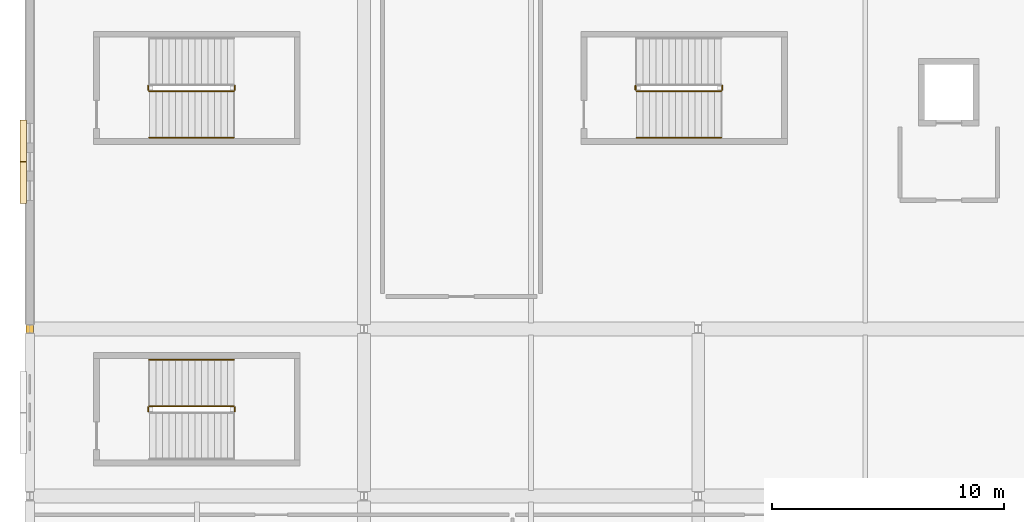
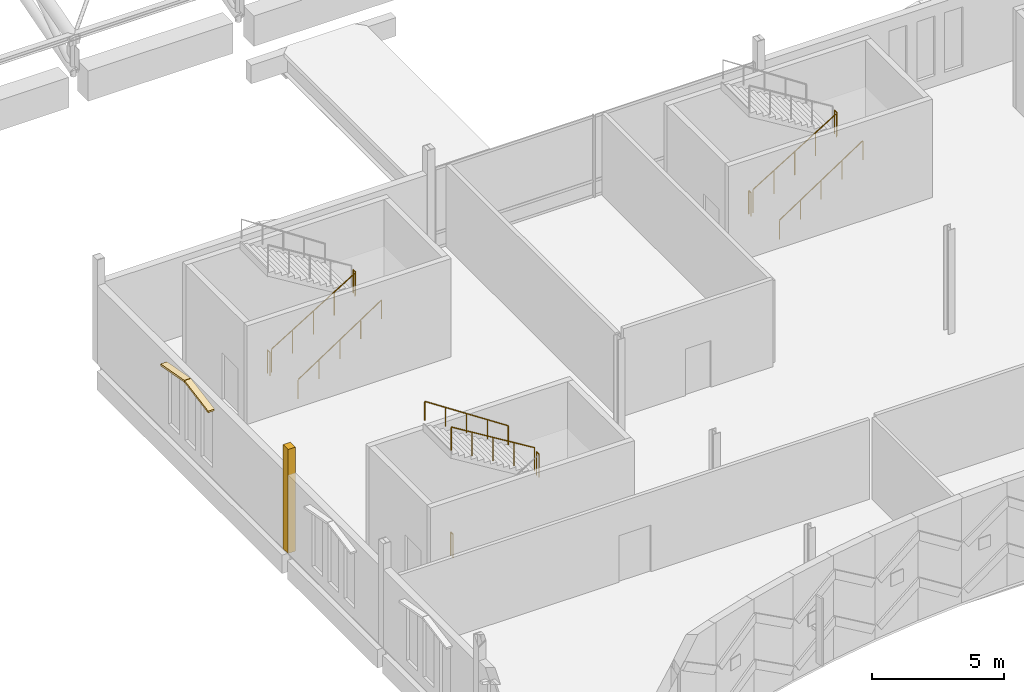
# One storey, part 172 of 193: 12 railings, 3 coverings.
"""IFC4 building model written with IfcOpenShell, lengths in metres."""

from ifc_helpers import new_model, si_unit, direction, frame, origin, origin_2d, place, context, subcontext, project, spatial, polyline, circle, outline, extrude, material, layer, layer_set, type_object, element, save


model = new_model("IFC4")

# Units and contexts
model_context = context("Model", 3, precision=1e-05, world=origin(), true_north=direction((0.0, 1.0)))
body_context = subcontext(model_context, "Body", "Model", "MODEL_VIEW")
ifc_project = project(units=[si_unit("LENGTHUNIT", "METRE"), si_unit("AREAUNIT", "SQUARE_METRE"), si_unit("VOLUMEUNIT", "CUBIC_METRE"), si_unit("PLANEANGLEUNIT", "RADIAN"), si_unit("MASSUNIT", "GRAM", prefix="KILO")], contexts=[model_context])

# Site, building, storey
site_placement = place(None, origin())
site = spatial("IfcSite", under=ifc_project, at=site_placement, CompositionType="ELEMENT")
building_placement = place(site_placement, origin())
building = spatial("IfcBuilding", under=site, at=building_placement, Name="Cendralis Lancet Convention Centre", CompositionType="ELEMENT")
storey_placement = place(building_placement, frame((0.0, 0.0, 10.199951171875)))
storey = spatial("IfcBuildingStorey", under=building, at=storey_placement, Name="L02", CompositionType="ELEMENT", Elevation=10.199951171875)

# Coverings
ifc_material_1 = material(Name="Warm buff sandstone chevron cassette", Category="masonry")
ifc_layer = layer(ifc_material_1, 0.06005859375, Name="Warm buff sandstone chevron cassette")
ifc_layer_set = layer_set([ifc_layer], Name="Warm buff sandstone chevron cassette")
covering_type = type_object("IfcCoveringType", Name="ARC-CV-CLAD1", PredefinedType="CLADDING", material=ifc_layer_set)
for number, where, z_axis, x_axis, name in (
    (1, (-0.419921875, 27.0, 3.27001953125), (0.0, -0.178613820285, 0.983919256445), (1.0, 0.0, 0.0), "L02 Gothic Pointed Lancet Hood-Mould #0277L"),
    (2, (-0.419921875, 28.81005859375, 3.594970703125), (0.0, 0.178613820285, 0.983919256445), (1.0, 0.0, 0.0), "L02 Gothic Pointed Lancet Hood-Mould #0278R"),
):
    element("IfcCovering", number, at=place(storey_placement, frame(where, z_axis=z_axis, x_axis=x_axis)), inside=storey, type_object=covering_type, Name=name, PredefinedType="CLADDING", context=body_context, shape_type="SweptSolid", body=[
        extrude(outline(polyline([(0.0, 0.0), (0.284912109375, 0.0), (0.284912109375, 1.81929467359711), (0.0, 1.81929467359711), (0.0, 0.0)])), origin(), (0.0, 0.0, -1.0), 0.090087890625),
    ])
covering_placement = place(storey_placement, origin())
element("IfcCovering", 3, at=covering_placement, inside=storey, type_object=covering_type, Name="Exterior Column Stone Fire-Casing L02 #019", PredefinedType="CLADDING", context=body_context, shape_type="SweptSolid", body=[
    extrude(outline(polyline([(-0.162109375, 21.407958984375), (0.162109375, 21.407958984375), (0.162109375, 21.7919921875), (-0.162109375, 21.7919921875), (-0.162109375, 21.407958984375)])), origin(), (0.0, 0.0, 1.0), 4.800048828125),
])

# Railings
ifc_material_2 = material(Name="Steel S355", Category="steel")
railing_type_1 = type_object("IfcRailingType", Name="ARC-RL-CGD", PredefinedType="GUARDRAIL", material=ifc_material_2)
railing_1_placement = place(storey_placement, frame((26.14990234375, 31.85009765625, 0.17138671875)))
element("IfcRailing", 4, at=railing_1_placement, inside=storey, type_object=railing_type_1, Name="L02 ST-11 stair guard 1", PredefinedType="GUARDRAIL", context=body_context, shape_type="SweptSolid", body=[
    extrude(circle(Radius=0.02392578125, at=origin_2d()), frame((0.0, 0.0, 1.076171875), z_axis=(0.852840387347, 0.0, 0.522171689878), x_axis=(0.0, 1.0, 0.0)), (0.0, 0.0, 1.0), 4.268310546875),
    extrude(circle(Radius=0.02099609375, at=origin_2d()), origin(), (0.0, 0.0, 1.0), 1.052001953125),
    extrude(circle(Radius=0.02099609375, at=origin_2d()), frame((0.91015625, 0.0, 0.55712890625)), (0.0, 0.0, 1.0), 1.052001953125),
    extrude(circle(Radius=0.02099609375, at=origin_2d()), frame((1.820068359375, 0.0, 1.1142578125)), (0.0, 0.0, 1.0), 1.052001953125),
    extrude(circle(Radius=0.02099609375, at=origin_2d()), frame((2.72998046875, 0.0, 1.671630859375)), (0.0, 0.0, 1.0), 1.052001953125),
    extrude(circle(Radius=0.02099609375, at=origin_2d()), frame((3.64013671875, 0.0, 2.228759765625)), (0.0, 0.0, 1.0), 1.052001953125),
])
for number, where, name in (
    (5, (29.840087890625, 31.89990234375, 2.400146484375), "L02 ST-11 stair guard 2"),
    (6, (26.10009765625, 31.89990234375, 0.0), "L02 ST-11 stair guard 4"),
):
    element("IfcRailing", number, at=place(storey_placement, frame(where)), inside=storey, type_object=railing_type_1, Name=name, PredefinedType="GUARDRAIL", context=body_context, shape_type="SweptSolid", body=[
        extrude(circle(Radius=0.02392578125, at=origin_2d()), frame((0.0, 0.0, 1.076171875), z_axis=(0.0, 1.0, 0.0), x_axis=(-1.0, 0.0, 0.0)), (0.0, 0.0, 1.0), 0.18017578125),
        extrude(circle(Radius=0.02099609375, at=origin_2d()), origin(), (0.0, 0.0, 1.0), 1.052001953125),
        extrude(circle(Radius=0.02099609375, at=origin_2d()), frame((0.0, 0.18017578125, 0.0)), (0.0, 0.0, 1.0), 1.052001953125),
    ])
railing_2_placement = place(storey_placement, frame((8.840087890625, 18.050048828125, 2.400146484375)))
element("IfcRailing", 7, at=railing_2_placement, inside=storey, type_object=railing_type_1, Name="L02 ST-17 stair guard 2", PredefinedType="GUARDRAIL", context=body_context, shape_type="SweptSolid", body=[
    extrude(circle(Radius=0.02392578125, at=origin_2d()), frame((0.0, 0.0, 1.076171875), z_axis=(0.0, 1.0, 0.0), x_axis=(-1.0, 0.0, 0.0)), (0.0, 0.0, 1.0), 0.179931640625),
    extrude(circle(Radius=0.02099609375, at=origin_2d()), origin(), (0.0, 0.0, 1.0), 1.052001953125),
    extrude(circle(Radius=0.02099609375, at=origin_2d()), frame((0.0, 0.179931640625, 0.0)), (0.0, 0.0, 1.0), 1.052001953125),
])
railing_3_placement = place(storey_placement, frame((8.7900390625, 18.280029296875, 2.571533203125)))
element("IfcRailing", 8, at=railing_3_placement, inside=storey, type_object=railing_type_1, Name="L02 ST-17 stair guard 3", PredefinedType="GUARDRAIL", context=body_context, shape_type="SweptSolid", body=[
    extrude(circle(Radius=0.02392578125, at=origin_2d()), frame((0.0, 0.0, 1.076171875), z_axis=(-0.852865859571, 0.0, 0.52213008492), x_axis=(0.0, -1.0, 0.0)), (0.0, 0.0, 1.0), 4.26806640625),
    extrude(circle(Radius=0.02099609375, at=origin_2d()), origin(), (0.0, 0.0, 1.0), 1.052001953125),
    extrude(circle(Radius=0.02099609375, at=origin_2d()), frame((-0.91015625, 0.0, 0.55712890625)), (0.0, 0.0, 1.0), 1.052001953125),
    extrude(circle(Radius=0.02099609375, at=origin_2d()), frame((-1.820068359375, 0.0, 1.1142578125)), (0.0, 0.0, 1.0), 1.052001953125),
    extrude(circle(Radius=0.02099609375, at=origin_2d()), frame((-2.72998046875, 0.0, 1.67138671875)), (0.0, 0.0, 1.0), 1.052001953125),
    extrude(circle(Radius=0.02099609375, at=origin_2d()), frame((-3.64013671875, 0.0, 2.228515625)), (0.0, 0.0, 1.0), 1.052001953125),
])
railing_4_placement = place(storey_placement, frame((5.10009765625, 18.050048828125, 0.0)))
element("IfcRailing", 9, at=railing_4_placement, inside=storey, type_object=railing_type_1, Name="L02 ST-17 stair guard 4", PredefinedType="GUARDRAIL", context=body_context, shape_type="SweptSolid", body=[
    extrude(circle(Radius=0.02392578125, at=origin_2d()), frame((0.0, 0.0, 1.076171875), z_axis=(0.0, 1.0, 0.0), x_axis=(-1.0, 0.0, 0.0)), (0.0, 0.0, 1.0), 0.179931640625),
    extrude(circle(Radius=0.02099609375, at=origin_2d()), origin(), (0.0, 0.0, 1.0), 1.052001953125),
    extrude(circle(Radius=0.02099609375, at=origin_2d()), frame((0.0, 0.179931640625, 0.0)), (0.0, 0.0, 1.0), 1.052001953125),
])
railing_5_placement = place(storey_placement, frame((5.14990234375, 31.85009765625, 0.17138671875)))
element("IfcRailing", 10, at=railing_5_placement, inside=storey, type_object=railing_type_1, Name="L02 ST-20 stair guard 1", PredefinedType="GUARDRAIL", context=body_context, shape_type="SweptSolid", body=[
    extrude(circle(Radius=0.02392578125, at=origin_2d()), frame((0.0, 0.0, 1.076171875), z_axis=(0.852840387347, 0.0, 0.522171689878), x_axis=(0.0, 1.0, 0.0)), (0.0, 0.0, 1.0), 4.268310546875),
    extrude(circle(Radius=0.02099609375, at=origin_2d()), origin(), (0.0, 0.0, 1.0), 1.052001953125),
    extrude(circle(Radius=0.02099609375, at=origin_2d()), frame((0.91015625, 0.0, 0.55712890625)), (0.0, 0.0, 1.0), 1.052001953125),
    extrude(circle(Radius=0.02099609375, at=origin_2d()), frame((1.820068359375, 0.0, 1.1142578125)), (0.0, 0.0, 1.0), 1.052001953125),
    extrude(circle(Radius=0.02099609375, at=origin_2d()), frame((2.72998046875, 0.0, 1.671630859375)), (0.0, 0.0, 1.0), 1.052001953125),
    extrude(circle(Radius=0.02099609375, at=origin_2d()), frame((3.64013671875, 0.0, 2.228759765625)), (0.0, 0.0, 1.0), 1.052001953125),
])
for number, where, name in (
    (11, (8.840087890625, 31.89990234375, 2.400146484375), "L02 ST-20 stair guard 2"),
    (12, (5.10009765625, 31.89990234375, 0.0), "L02 ST-20 stair guard 4"),
):
    element("IfcRailing", number, at=place(storey_placement, frame(where)), inside=storey, type_object=railing_type_1, Name=name, PredefinedType="GUARDRAIL", context=body_context, shape_type="SweptSolid", body=[
        extrude(circle(Radius=0.02392578125, at=origin_2d()), frame((0.0, 0.0, 1.076171875), z_axis=(0.0, 1.0, 0.0), x_axis=(-1.0, 0.0, 0.0)), (0.0, 0.0, 1.0), 0.18017578125),
        extrude(circle(Radius=0.02099609375, at=origin_2d()), origin(), (0.0, 0.0, 1.0), 1.052001953125),
        extrude(circle(Radius=0.02099609375, at=origin_2d()), frame((0.0, 0.18017578125, 0.0)), (0.0, 0.0, 1.0), 1.052001953125),
    ])
railing_type_2 = type_object("IfcRailingType", Name="ARC-RL-CHR", PredefinedType="HANDRAIL", material=ifc_material_2)
railing_6_placement = place(storey_placement, frame((26.14990234375, 29.85009765625, 0.17138671875)))
element("IfcRailing", 13, at=railing_6_placement, inside=storey, type_object=railing_type_2, Name="L02 ST-11 stair handrail 1", PredefinedType="HANDRAIL", context=body_context, shape_type="SweptSolid", body=[
    extrude(circle(Radius=0.02392578125, at=origin_2d()), frame((0.0, 0.0, 0.8759765625), z_axis=(0.834856447115, 0.0, 0.55046772177), x_axis=(0.0, 1.0, 0.0)), (0.0, 0.0, 1.0), 4.360107421875),
    extrude(circle(Radius=0.02099609375, at=origin_2d()), origin(), (0.0, 0.0, 1.0), 0.851806640625),
    extrude(circle(Radius=0.02099609375, at=origin_2d()), frame((0.91015625, 0.0, 0.60009765625)), (0.0, 0.0, 1.0), 0.851806640625),
    extrude(circle(Radius=0.02099609375, at=origin_2d()), frame((1.820068359375, 0.0, 1.2001953125)), (0.0, 0.0, 1.0), 0.851806640625),
    extrude(circle(Radius=0.02099609375, at=origin_2d()), frame((2.72998046875, 0.0, 1.800048828125)), (0.0, 0.0, 1.0), 0.851806640625),
    extrude(circle(Radius=0.02099609375, at=origin_2d()), frame((3.64013671875, 0.0, 2.400146484375)), (0.0, 0.0, 1.0), 0.851806640625),
])
railing_7_placement = place(storey_placement, frame((8.7900390625, 20.280029296875, 2.571533203125)))
element("IfcRailing", 14, at=railing_7_placement, inside=storey, type_object=railing_type_2, Name="L02 ST-17 stair handrail 2", PredefinedType="HANDRAIL", context=body_context, shape_type="SweptSolid", body=[
    extrude(circle(Radius=0.02392578125, at=origin_2d()), frame((0.0, 0.0, 0.8759765625), z_axis=(-0.83488217925, 0.0, 0.55042869363), x_axis=(0.0, -1.0, 0.0)), (0.0, 0.0, 1.0), 4.360107421875),
    extrude(circle(Radius=0.02099609375, at=origin_2d()), origin(), (0.0, 0.0, 1.0), 0.851806640625),
    extrude(circle(Radius=0.02099609375, at=origin_2d()), frame((-0.91015625, 0.0, 0.60009765625)), (0.0, 0.0, 1.0), 0.851806640625),
    extrude(circle(Radius=0.02099609375, at=origin_2d()), frame((-1.820068359375, 0.0, 1.199951171875)), (0.0, 0.0, 1.0), 0.851806640625),
    extrude(circle(Radius=0.02099609375, at=origin_2d()), frame((-2.72998046875, 0.0, 1.7998046875)), (0.0, 0.0, 1.0), 0.851806640625),
    extrude(circle(Radius=0.02099609375, at=origin_2d()), frame((-3.64013671875, 0.0, 2.39990234375)), (0.0, 0.0, 1.0), 0.851806640625),
])
railing_8_placement = place(storey_placement, frame((5.14990234375, 29.85009765625, 0.17138671875)))
element("IfcRailing", 15, at=railing_8_placement, inside=storey, type_object=railing_type_2, Name="L02 ST-20 stair handrail 1", PredefinedType="HANDRAIL", context=body_context, shape_type="SweptSolid", body=[
    extrude(circle(Radius=0.02392578125, at=origin_2d()), frame((0.0, 0.0, 0.8759765625), z_axis=(0.834856447115, 0.0, 0.55046772177), x_axis=(0.0, 1.0, 0.0)), (0.0, 0.0, 1.0), 4.360107421875),
    extrude(circle(Radius=0.02099609375, at=origin_2d()), origin(), (0.0, 0.0, 1.0), 0.851806640625),
    extrude(circle(Radius=0.02099609375, at=origin_2d()), frame((0.91015625, 0.0, 0.60009765625)), (0.0, 0.0, 1.0), 0.851806640625),
    extrude(circle(Radius=0.02099609375, at=origin_2d()), frame((1.820068359375, 0.0, 1.2001953125)), (0.0, 0.0, 1.0), 0.851806640625),
    extrude(circle(Radius=0.02099609375, at=origin_2d()), frame((2.72998046875, 0.0, 1.800048828125)), (0.0, 0.0, 1.0), 0.851806640625),
    extrude(circle(Radius=0.02099609375, at=origin_2d()), frame((3.64013671875, 0.0, 2.400146484375)), (0.0, 0.0, 1.0), 0.851806640625),
])

save(model, "model.ifc")
